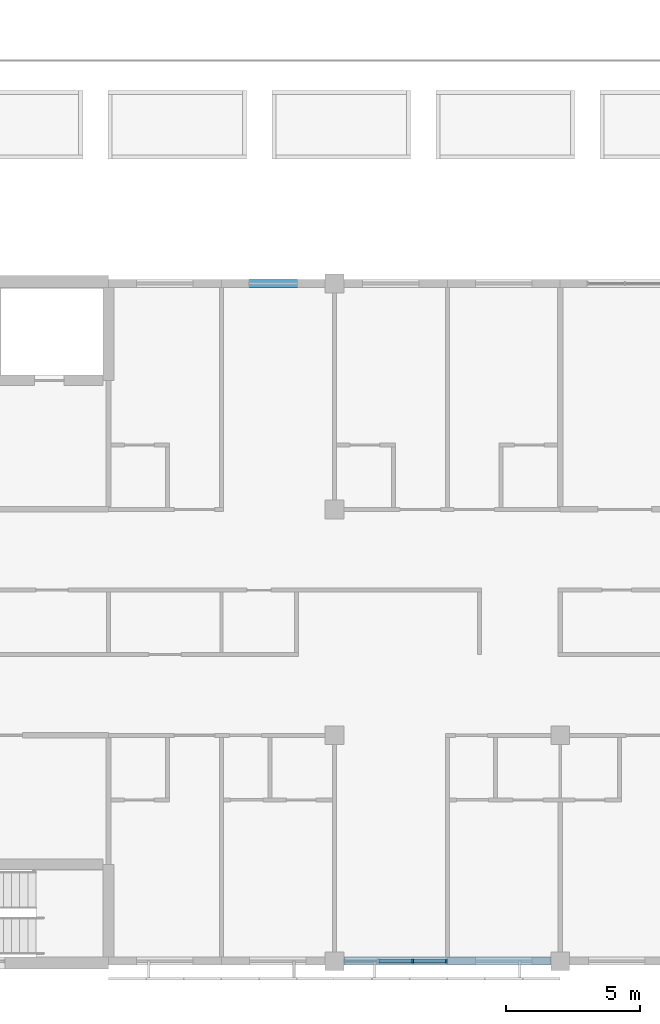
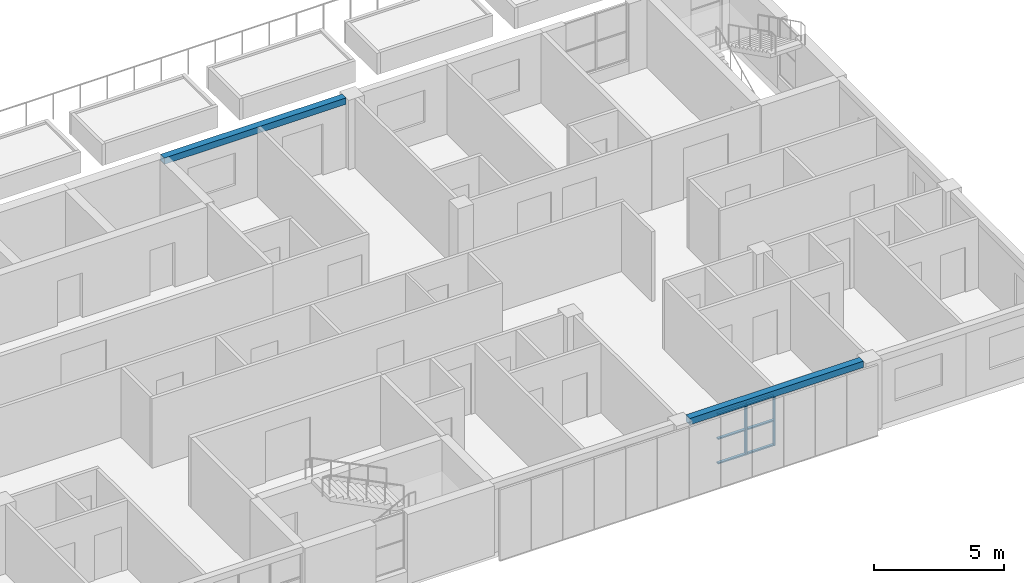
# One storey, part 20 of 61: 8 members, 2 beams, 1 element without a shape of its own.
"""IFC4 building model written with IfcOpenShell, lengths in metres."""

from ifc_helpers import new_model, si_unit, direction, frame, origin, origin_2d, place, context, subcontext, project, spatial, rectangle, extrude, material, material_profile, profile_set, type_object, element, aggregate, save


model = new_model("IFC4")

# Units and contexts
model_context = context("Model", 3, precision=1e-05, world=origin(), true_north=direction((0.0, 1.0)))
body_context = subcontext(model_context, "Body", "Model", "MODEL_VIEW")
ifc_project = project(units=[si_unit("LENGTHUNIT", "METRE"), si_unit("AREAUNIT", "SQUARE_METRE"), si_unit("VOLUMEUNIT", "CUBIC_METRE"), si_unit("PLANEANGLEUNIT", "RADIAN"), si_unit("MASSUNIT", "GRAM", prefix="KILO")], contexts=[model_context])

# Site, building, storey
site_placement = place(None, origin())
site = spatial("IfcSite", under=ifc_project, at=site_placement, CompositionType="ELEMENT")
building_placement = place(site_placement, origin())
building = spatial("IfcBuilding", under=site, at=building_placement, Name="Yavir Park General Hospital", CompositionType="ELEMENT")
storey_placement = place(building_placement, frame((0.0, 0.0, 15.300048828125)))
storey = spatial("IfcBuildingStorey", under=building, at=storey_placement, Name="L03", CompositionType="ELEMENT", Elevation=15.300048828125)

# Curtain wall, members
ifc_material_1 = material(Name="Aluminium curtain wall frame with insulated glazing", Category="aluminium")
curtain_wall_type = type_object("IfcCurtainWallType", Name="Day room pocket glazing, ward floors, 2360 high, 1400 module", PredefinedType="NOTDEFINED", material=ifc_material_1)
curtain_wall_placement = place(storey_placement, origin())
curtain_wall = element("IfcCurtainWall", 1, at=curtain_wall_placement, inside=storey, type_object=curtain_wall_type, Name="CW6 L03-010", PredefinedType="NOTDEFINED")
ifc_material_2 = material(Name="Aluminium", Category="aluminium")
ifc_material_profile_1 = material_profile(ifc_material_2, rectangle(XDim=0.139892578125, YDim=0.06005859375, at=origin_2d()), Name="AL 60x140")
ifc_profile_set_1 = profile_set([ifc_material_profile_1], Name="Aluminium")
member_type_1 = type_object("IfcMemberType", Name="Day room pocket glazing, ward floors, 2360 high mullion 60 x 140", PredefinedType="MULLION", material=ifc_profile_set_1)
member_1_placement = place(storey_placement, frame((154.11669921875, 0.0, 0.599853515625), z_axis=(0.0, 0.0, 1.0), x_axis=(0.0, 1.0, 0.0)))
member_1 = element("IfcMember", 2, at=member_1_placement, type_object=member_type_1, Name="CW6 mullion 3", PredefinedType="MULLION", context=body_context, shape_type="SweptSolid", body=[
    extrude(rectangle(XDim=0.139892578125, YDim=0.06005859375, at=origin_2d()), origin(), (0.0, 0.0, 1.0), 2.360107421875),
])
member_2_placement = place(storey_placement, frame((155.3701171875, 0.0, 0.599853515625), z_axis=(0.0, 0.0, 1.0), x_axis=(0.0, 1.0, 0.0)))
member_2 = element("IfcMember", 3, at=member_2_placement, type_object=member_type_1, Name="CW6 mullion 4", PredefinedType="MULLION", context=body_context, shape_type="SweptSolid", body=[
    extrude(rectangle(XDim=0.139892578125, YDim=0.06005859375, at=origin_2d()), origin(), (0.0, 0.0, 1.0), 2.360107421875),
])
ifc_material_3 = material(Name="Aluminium", Category="aluminium")
ifc_material_profile_2 = material_profile(ifc_material_3, rectangle(XDim=0.1201171875, YDim=0.06005859375, at=origin_2d()), Name="AL 120x60")
ifc_profile_set_2 = profile_set([ifc_material_profile_2], Name="Aluminium")
member_type_2 = type_object("IfcMemberType", Name="Day room pocket glazing, ward floors, 2360 high transom 60 x 120", PredefinedType="MULLION", material=ifc_profile_set_2)
member_3_placement = place(storey_placement, frame((152.86328125, 0.0, 0.6298828125), z_axis=(1.0, 0.0, 0.0), x_axis=(0.0, 1.0, 0.0)))
member_3 = element("IfcMember", 4, at=member_3_placement, type_object=member_type_2, Name="CW6 transom 2.1", PredefinedType="MULLION", context=body_context, shape_type="SweptSolid", body=[
    extrude(rectangle(XDim=0.1201171875, YDim=0.06005859375, at=origin_2d()), origin(), (0.0, 0.0, 1.0), 1.223388671875),
])
member_4_placement = place(storey_placement, frame((152.86328125, 0.0, 1.780029296875), z_axis=(1.0, 0.0, 0.0), x_axis=(0.0, 1.0, 0.0)))
member_4 = element("IfcMember", 5, at=member_4_placement, type_object=member_type_2, Name="CW6 transom 2.2", PredefinedType="MULLION", context=body_context, shape_type="SweptSolid", body=[
    extrude(rectangle(XDim=0.1201171875, YDim=0.06005859375, at=origin_2d()), origin(), (0.0, 0.0, 1.0), 1.223388671875),
])
member_5_placement = place(storey_placement, frame((152.86328125, 0.0, 2.929931640625), z_axis=(1.0, 0.0, 0.0), x_axis=(0.0, 1.0, 0.0)))
member_5 = element("IfcMember", 6, at=member_5_placement, type_object=member_type_2, Name="CW6 transom 2.3", PredefinedType="MULLION", context=body_context, shape_type="SweptSolid", body=[
    extrude(rectangle(XDim=0.1201171875, YDim=0.06005859375, at=origin_2d()), origin(), (0.0, 0.0, 1.0), 1.223388671875),
])
member_6_placement = place(storey_placement, frame((154.146728515625, 0.0, 0.6298828125), z_axis=(1.0, 0.0, 0.0), x_axis=(0.0, 1.0, 0.0)))
member_6 = element("IfcMember", 7, at=member_6_placement, type_object=member_type_2, Name="CW6 transom 3.1", PredefinedType="MULLION", context=body_context, shape_type="SweptSolid", body=[
    extrude(rectangle(XDim=0.1201171875, YDim=0.06005859375, at=origin_2d()), origin(), (0.0, 0.0, 1.0), 1.193359375),
])
member_7_placement = place(storey_placement, frame((154.146728515625, 0.0, 1.780029296875), z_axis=(1.0, 0.0, 0.0), x_axis=(0.0, 1.0, 0.0)))
member_7 = element("IfcMember", 8, at=member_7_placement, type_object=member_type_2, Name="CW6 transom 3.2", PredefinedType="MULLION", context=body_context, shape_type="SweptSolid", body=[
    extrude(rectangle(XDim=0.1201171875, YDim=0.06005859375, at=origin_2d()), origin(), (0.0, 0.0, 1.0), 1.193359375),
])
member_8_placement = place(storey_placement, frame((154.146728515625, 0.0, 2.929931640625), z_axis=(1.0, 0.0, 0.0), x_axis=(0.0, 1.0, 0.0)))
member_8 = element("IfcMember", 9, at=member_8_placement, type_object=member_type_2, Name="CW6 transom 3.3", PredefinedType="MULLION", context=body_context, shape_type="SweptSolid", body=[
    extrude(rectangle(XDim=0.1201171875, YDim=0.06005859375, at=origin_2d()), origin(), (0.0, 0.0, 1.0), 1.193359375),
])
aggregate(curtain_wall, [member_1, member_2, member_3, member_4, member_5, member_6, member_7, member_8])

# Beams
ifc_material_4 = material(Name="Concrete C35/45", Category="concrete")
ifc_material_profile_3 = material_profile(ifc_material_4, rectangle(XDim=0.300048828125, YDim=0.300048828125, at=origin_2d()), Name="RC300x300")
ifc_profile_set_3 = profile_set([ifc_material_profile_3], Name="Concrete C35/45")
beam_type = type_object("IfcBeamType", Name="RC BEAM 300x300 edge beam", PredefinedType="BEAM", material=ifc_profile_set_3)
beam_1_placement = place(storey_placement, frame((151.550048828125, 0.0, 3.10986328125), z_axis=(1.0, 0.0, 0.0), x_axis=(0.0, 1.0, 0.0)))
element("IfcBeam", 10, at=beam_1_placement, inside=storey, type_object=beam_type, Name="B:EDGE:L03:009", PredefinedType="BEAM", context=body_context, shape_type="SweptSolid", body=[
    extrude(rectangle(XDim=0.300048828125, YDim=0.300048828125, at=origin_2d()), origin(), (0.0, 0.0, 1.0), 7.699951171875),
])
beam_2_placement = place(storey_placement, frame((142.800048828125, 25.199951171875, 3.10986328125), z_axis=(1.0, 0.0, 0.0), x_axis=(0.0, 1.0, 0.0)))
element("IfcBeam", 11, at=beam_2_placement, inside=storey, type_object=beam_type, Name="B:EDGE:L03:014", PredefinedType="BEAM", context=body_context, shape_type="SweptSolid", body=[
    extrude(rectangle(XDim=0.300048828125, YDim=0.300048828125, at=origin_2d()), origin(), (0.0, 0.0, 1.0), 8.050048828125),
])

save(model, "model.ifc")
